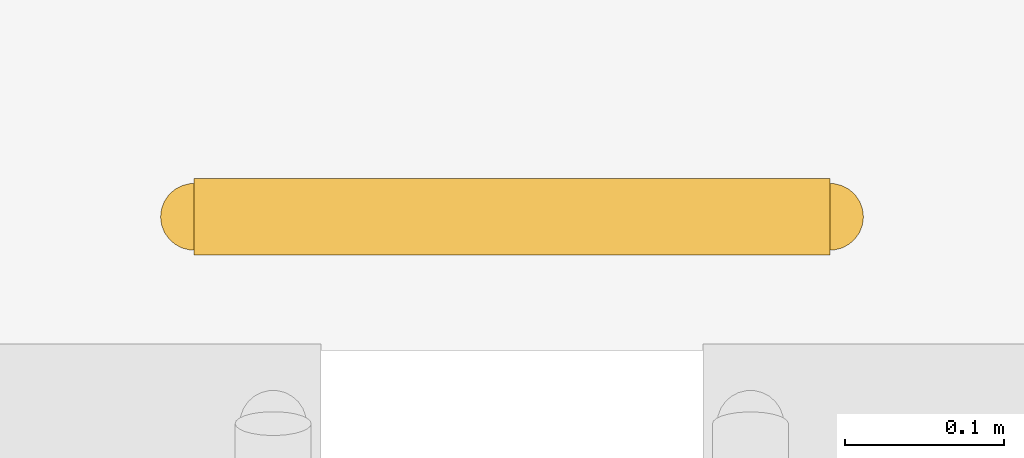
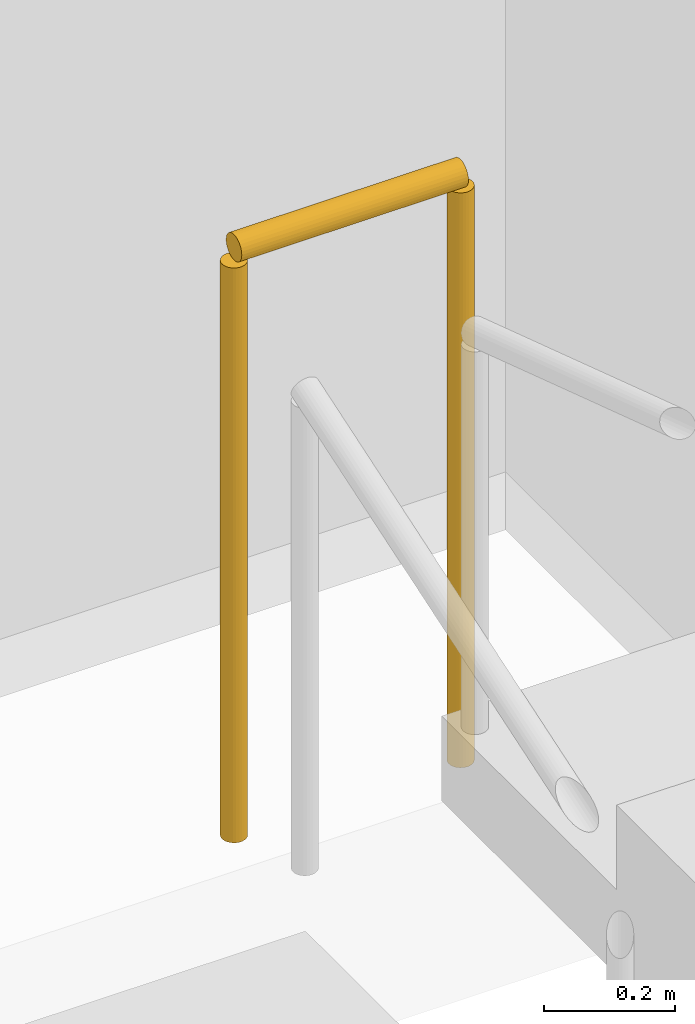
# One storey, part 19 of 19: 1 railing.
"""IFC4 building model written with IfcOpenShell, lengths in metres."""

from ifc_helpers import new_model, si_unit, direction, frame, origin, origin_2d, place, context, subcontext, project, spatial, circle, extrude, material, layer, layer_set, type_object, element, save


model = new_model("IFC4")

# Units and contexts
model_context = context("Model", 3, precision=1e-05, world=origin(), true_north=direction((0.0, 1.0)))
body_context = subcontext(model_context, "Body", "Model", "MODEL_VIEW")
ifc_project = project(units=[si_unit("LENGTHUNIT", "METRE"), si_unit("AREAUNIT", "SQUARE_METRE"), si_unit("VOLUMEUNIT", "CUBIC_METRE"), si_unit("PLANEANGLEUNIT", "RADIAN"), si_unit("MASSUNIT", "GRAM", prefix="KILO")], contexts=[model_context])

# Site, building, storey
site_placement = place(None, origin())
site = spatial("IfcSite", under=ifc_project, at=site_placement, CompositionType="ELEMENT")
building_placement = place(site_placement, origin())
building = spatial("IfcBuilding", under=site, at=building_placement, Name="Girod Span Mobility Hub", CompositionType="ELEMENT")
storey_placement = place(building_placement, frame((0.0, 0.0, 13.39990234375)))
storey = spatial("IfcBuildingStorey", under=building, at=storey_placement, Name="L03", CompositionType="ELEMENT", Elevation=13.39990234375)

# Railing
ifc_material = material(Name="Painted Galvanised Steel", Category="steel")
ifc_layer = layer(ifc_material, 0.06494140625)
ifc_layer_set = layer_set([ifc_layer], Name="Painted Galvanised Steel")
railing_type = type_object("IfcRailingType", Name="RL-GRD-1120", PredefinedType="GUARDRAIL", material=ifc_layer_set)
railing_placement = place(storey_placement, frame((110.10009765625, 65.77001953125, 1.900146484375)))
element("IfcRailing", 1, at=railing_placement, inside=storey, type_object=railing_type, Name="Stair ST-2 Half-Landing Well Guard L03", PredefinedType="GUARDRAIL", context=body_context, shape_type="SweptSolid", body=[
    extrude(circle(Radius=0.02392578125, at=origin_2d()), frame((0.0, 0.0, 1.09619140625), z_axis=(1.0, 0.0, 0.0), x_axis=(0.0, 1.0, 0.0)), (0.0, 0.0, 1.0), 0.39990234375),
    extrude(circle(Radius=0.02099609375, at=origin_2d()), origin(), (0.0, 0.0, 1.0), 1.072021484375),
    extrude(circle(Radius=0.02099609375, at=origin_2d()), frame((0.39990234375, 0.0, 0.0)), (0.0, 0.0, 1.0), 1.072021484375),
])

save(model, "model.ifc")
